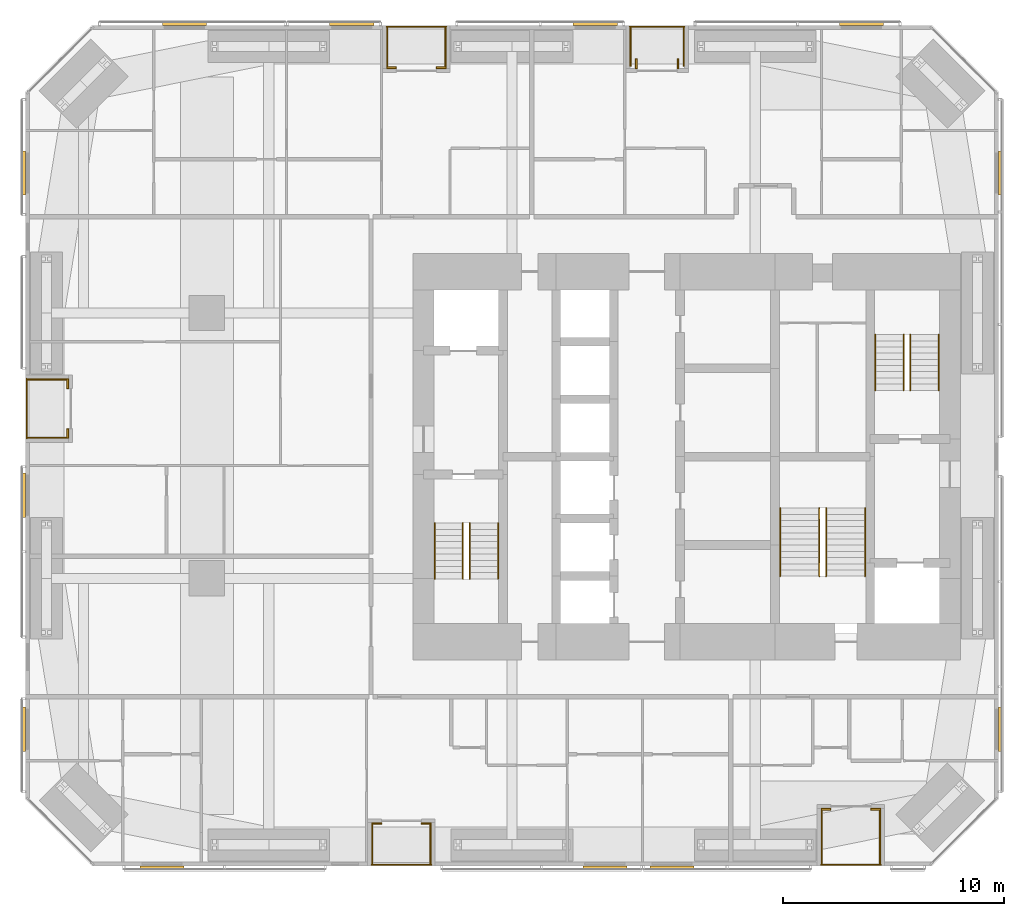
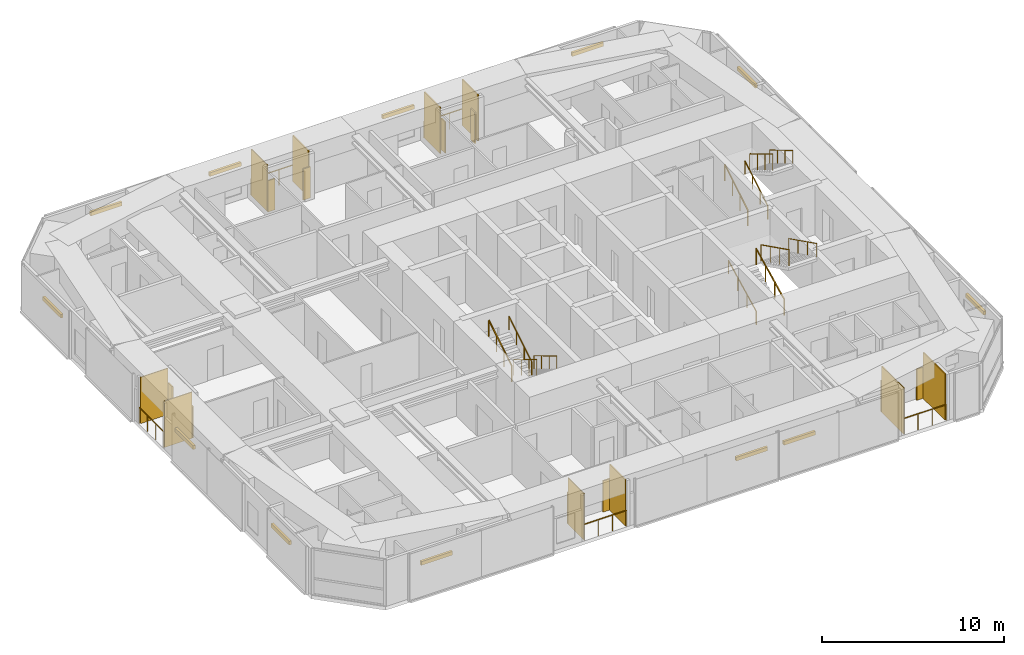
# One storey, part 22 of 22: 32 shading devices, 17 railings.
"""IFC4 building model written with IfcOpenShell, lengths in metres."""

from ifc_helpers import new_model, si_unit, direction, frame, origin, origin_2d, place, context, subcontext, project, spatial, rectangle, circle, extrude, material, layer, layer_set, constituent, constituent_set, type_object, element, save


model = new_model("IFC4")

# Units and contexts
model_context = context("Model", 3, precision=1e-05, world=origin(), true_north=direction((0.0, 1.0)))
body_context = subcontext(model_context, "Body", "Model", "MODEL_VIEW")
ifc_project = project(units=[si_unit("LENGTHUNIT", "METRE"), si_unit("AREAUNIT", "SQUARE_METRE"), si_unit("VOLUMEUNIT", "CUBIC_METRE"), si_unit("PLANEANGLEUNIT", "RADIAN"), si_unit("MASSUNIT", "GRAM", prefix="KILO")], contexts=[model_context])

# Site, building, storey
site_placement = place(None, origin())
site = spatial("IfcSite", under=ifc_project, at=site_placement, CompositionType="ELEMENT")
building_placement = place(site_placement, origin())
building = spatial("IfcBuilding", under=site, at=building_placement, Name="Jalousie Tower", CompositionType="ELEMENT")
storey_placement = place(building_placement, frame((0.0, 0.0, 64.550048828125)))
storey = spatial("IfcBuildingStorey", under=building, at=storey_placement, Name="L17", CompositionType="ELEMENT", Elevation=64.550048828125)

# Shading devices
ifc_material_1 = material(Name="Aluminium impact-rated louvred storm shutter", Category="aluminium")
shading_device_type_1 = type_object("IfcShadingDeviceType", Name="BI-FOLD STORM SHUTTER 900x2100", PredefinedType="SHUTTER", material=ifc_material_1)
for number, where, z_axis, x_axis, name in (
    (1, (17.875, 1.909912109375, 0.0), (0.0, 0.0, 1.0), (1.0, 0.0, 0.0), "Loggia storm shutter L17"),
    (2, (20.125, 1.909912109375, 0.0), (0.0, 0.0, 1.0), (1.0, 0.0, 0.0), "Loggia storm shutter L17"),
    (3, (38.199951171875, 2.56005859375, 0.0), (0.0, 0.0, 1.0), (1.0, 0.0, 0.0), "Loggia storm shutter L17"),
    (4, (40.449951171875, 2.56005859375, 0.0), (0.0, 0.0, 1.0), (1.0, 0.0, 0.0), "Loggia storm shutter L17"),
    (5, (31.50244140625, 36.27490234375, 0.0), (0.0, 0.0, 1.0), (0.0, -1.0, 0.0), "Loggia storm shutter L17"),
    (6, (29.62255859375, 36.27490234375, 0.0), (0.0, 0.0, 1.0), (0.0, -1.0, 0.0), "Loggia storm shutter L17"),
    (7, (20.800048828125, 36.090087890625, 0.0), (0.0, 0.0, 1.0), (-1.0, 0.0, 0.0), "Loggia storm shutter L17"),
    (8, (18.550048828125, 36.090087890625, 0.0), (0.0, 0.0, 1.0), (-1.0, 0.0, 0.0), "Loggia storm shutter L17"),
    (9, (3.909912109375, 21.800048828125, 0.0), (0.0, 0.0, 1.0), (0.0, -1.0, 0.0), "Loggia storm shutter L17"),
    (10, (3.909912109375, 19.550048828125, 0.0), (0.0, 0.0, 1.0), (0.0, -1.0, 0.0), "Loggia storm shutter L17"),
):
    element("IfcShadingDevice", number, at=place(storey_placement, frame(where, z_axis=z_axis, x_axis=x_axis)), inside=storey, type_object=shading_device_type_1, Name=name, PredefinedType="SHUTTER", context=body_context, shape_type="SweptSolid", body=[
        extrude(rectangle(XDim=0.449951171875, YDim=0.080078125, at=origin_2d()), origin(), (0.0, 0.0, 1.0), 2.10009765625),
    ])

# Railings
ifc_material_2 = material(Name="Powder-coated aluminium fretwork", Category="aluminium")
railing_type_1 = type_object("IfcRailingType", Name="FRETWORK BALUSTRADE 1100", PredefinedType="BALUSTRADE", material=ifc_material_2)
railing_1_placement = place(storey_placement, frame((17.64990234375, 0.050048828125, 0.0)))
element("IfcRailing", 11, at=railing_1_placement, inside=storey, type_object=railing_type_1, Name="Loggia fretwork balustrade L17", PredefinedType="BALUSTRADE", context=body_context, shape_type="SweptSolid", body=[
    extrude(rectangle(XDim=0.048095703125, YDim=0.048095703125, at=origin_2d()), frame((0.0, 0.0, 1.076171875), z_axis=(1.0, 0.0, 0.0), x_axis=(0.0, 1.0, 0.0)), (0.0, 0.0, 1.0), 2.7001953125),
    extrude(circle(Radius=0.02099609375, at=origin_2d()), origin(), (0.0, 0.0, 1.0), 1.052001953125),
    extrude(circle(Radius=0.02099609375, at=origin_2d()), frame((0.900146484375, 0.0, 0.0)), (0.0, 0.0, 1.0), 1.052001953125),
    extrude(circle(Radius=0.02099609375, at=origin_2d()), frame((1.800048828125, 0.0, 0.0)), (0.0, 0.0, 1.0), 1.052001953125),
    extrude(circle(Radius=0.02099609375, at=origin_2d()), frame((2.7001953125, 0.0, 0.0)), (0.0, 0.0, 1.0), 1.052001953125),
])
railing_2_placement = place(storey_placement, frame((37.97509765625, 0.050048828125, 0.0)))
element("IfcRailing", 12, at=railing_2_placement, inside=storey, type_object=railing_type_1, Name="Loggia fretwork balustrade L17", PredefinedType="BALUSTRADE", context=body_context, shape_type="SweptSolid", body=[
    extrude(rectangle(XDim=0.048095703125, YDim=0.048095703125, at=origin_2d()), frame((0.0, 0.0, 1.076171875), z_axis=(1.0, 0.0, 0.0), x_axis=(0.0, 1.0, 0.0)), (0.0, 0.0, 1.0), 2.699951171875),
    extrude(circle(Radius=0.02099609375, at=origin_2d()), origin(), (0.0, 0.0, 1.0), 1.052001953125),
    extrude(circle(Radius=0.02099609375, at=origin_2d()), frame((0.89990234375, 0.0, 0.0)), (0.0, 0.0, 1.0), 1.052001953125),
    extrude(circle(Radius=0.02099609375, at=origin_2d()), frame((1.800048828125, 0.0, 0.0)), (0.0, 0.0, 1.0), 1.052001953125),
    extrude(circle(Radius=0.02099609375, at=origin_2d()), frame((2.699951171875, 0.0, 0.0)), (0.0, 0.0, 1.0), 1.052001953125),
])
railing_3_placement = place(storey_placement, frame((31.800048828125, 37.949951171875, 0.0)))
element("IfcRailing", 13, at=railing_3_placement, inside=storey, type_object=railing_type_1, Name="Loggia fretwork balustrade L17", PredefinedType="BALUSTRADE", context=body_context, shape_type="SweptSolid", body=[
    extrude(rectangle(XDim=0.048095703125, YDim=0.048095703125, at=origin_2d()), frame((0.0, 0.0, 1.076171875), z_axis=(-1.0, 0.0, 0.0), x_axis=(0.0, -1.0, 0.0)), (0.0, 0.0, 1.0), 2.47509765625),
    extrude(circle(Radius=0.02099609375, at=origin_2d()), origin(), (0.0, 0.0, 1.0), 1.052001953125),
    extrude(circle(Radius=0.02099609375, at=origin_2d()), frame((-0.824951171875, 0.0, 0.0)), (0.0, 0.0, 1.0), 1.052001953125),
    extrude(circle(Radius=0.02099609375, at=origin_2d()), frame((-1.650146484375, 0.0, 0.0)), (0.0, 0.0, 1.0), 1.052001953125),
    extrude(circle(Radius=0.02099609375, at=origin_2d()), frame((-2.47509765625, 0.0, 0.0)), (0.0, 0.0, 1.0), 1.052001953125),
])
railing_4_placement = place(storey_placement, frame((21.02490234375, 37.949951171875, 0.0)))
element("IfcRailing", 14, at=railing_4_placement, inside=storey, type_object=railing_type_1, Name="Loggia fretwork balustrade L17", PredefinedType="BALUSTRADE", context=body_context, shape_type="SweptSolid", body=[
    extrude(rectangle(XDim=0.048095703125, YDim=0.048095703125, at=origin_2d()), frame((0.0, 0.0, 1.076171875), z_axis=(-1.0, 0.0, 0.0), x_axis=(0.0, -1.0, 0.0)), (0.0, 0.0, 1.0), 2.699951171875),
    extrude(circle(Radius=0.02099609375, at=origin_2d()), origin(), (0.0, 0.0, 1.0), 1.052001953125),
    extrude(circle(Radius=0.02099609375, at=origin_2d()), frame((-0.89990234375, 0.0, 0.0)), (0.0, 0.0, 1.0), 1.052001953125),
    extrude(circle(Radius=0.02099609375, at=origin_2d()), frame((-1.800048828125, 0.0, 0.0)), (0.0, 0.0, 1.0), 1.052001953125),
    extrude(circle(Radius=0.02099609375, at=origin_2d()), frame((-2.699951171875, 0.0, 0.0)), (0.0, 0.0, 1.0), 1.052001953125),
])
railing_5_placement = place(storey_placement, frame((2.050048828125, 22.02490234375, 0.0)))
element("IfcRailing", 15, at=railing_5_placement, inside=storey, type_object=railing_type_1, Name="Loggia fretwork balustrade L17", PredefinedType="BALUSTRADE", context=body_context, shape_type="SweptSolid", body=[
    extrude(rectangle(XDim=0.048095703125, YDim=0.048095703125, at=origin_2d()), frame((0.0, 0.0, 1.076171875), z_axis=(0.0, -1.0, 0.0), x_axis=(1.0, 0.0, 0.0)), (0.0, 0.0, 1.0), 2.699951171875),
    extrude(circle(Radius=0.02099609375, at=origin_2d()), origin(), (0.0, 0.0, 1.0), 1.052001953125),
    extrude(circle(Radius=0.02099609375, at=origin_2d()), frame((0.0, -0.89990234375, 0.0)), (0.0, 0.0, 1.0), 1.052001953125),
    extrude(circle(Radius=0.02099609375, at=origin_2d()), frame((0.0, -1.800048828125, 0.0)), (0.0, 0.0, 1.0), 1.052001953125),
    extrude(circle(Radius=0.02099609375, at=origin_2d()), frame((0.0, -2.699951171875, 0.0)), (0.0, 0.0, 1.0), 1.052001953125),
])

# Shading devices
ifc_material_3 = material(Name="Powder-coated aluminium louvres", Category="aluminium")
ifc_layer = layer(ifc_material_3, 0.06005859375)
ifc_layer_set = layer_set([ifc_layer], Name="Powder-coated aluminium louvres")
shading_device_type_2 = type_object("IfcShadingDeviceType", Name="JALOUSIE LOUVRE SCREEN", PredefinedType="JALOUSIE", material=ifc_layer_set)
for number, where, z_axis, x_axis, name in (
    (16, (17.679931640625, 0.97509765625, 0.0), (0.0, 0.0, 1.0), (1.0, 0.0, 0.0), "Loggia jalousie louvre screen L17"),
    (17, (20.320068359375, 0.97509765625, 0.0), (0.0, 0.0, 1.0), (1.0, 0.0, 0.0), "Loggia jalousie louvre screen L17"),
):
    element("IfcShadingDevice", number, at=place(storey_placement, frame(where, z_axis=z_axis, x_axis=x_axis)), inside=storey, type_object=shading_device_type_2, Name=name, PredefinedType="JALOUSIE", context=body_context, shape_type="SweptSolid", body=[
        extrude(rectangle(XDim=0.06005859375, YDim=1.75, at=origin_2d()), origin(), (0.0, 0.0, 1.0), 3.110107421875),
    ])
for number, where, z_axis, x_axis, name in (
    (18, (38.0048828125, 1.300048828125, 0.0), (0.0, 0.0, 1.0), (1.0, 0.0, 0.0), "Loggia jalousie louvre screen L17"),
    (19, (40.64501953125, 1.300048828125, 0.0), (0.0, 0.0, 1.0), (1.0, 0.0, 0.0), "Loggia jalousie louvre screen L17"),
):
    element("IfcShadingDevice", number, at=place(storey_placement, frame(where, z_axis=z_axis, x_axis=x_axis)), inside=storey, type_object=shading_device_type_2, Name=name, PredefinedType="JALOUSIE", context=body_context, shape_type="SweptSolid", body=[
        extrude(rectangle(XDim=0.06005859375, YDim=2.39990234375, at=origin_2d()), origin(), (0.0, 0.0, 1.0), 3.110107421875),
    ])
for number, where, z_axis, x_axis, name in (
    (20, (31.77001953125, 37.02490234375, 0.0), (0.0, 0.0, 1.0), (-1.0, 0.0, 0.0), "Loggia jalousie louvre screen L17"),
    (21, (29.35498046875, 37.02490234375, 0.0), (0.0, 0.0, 1.0), (-1.0, 0.0, 0.0), "Loggia jalousie louvre screen L17"),
    (22, (20.9951171875, 37.02490234375, 0.0), (0.0, 0.0, 1.0), (-1.0, 0.0, 0.0), "Loggia jalousie louvre screen L17"),
    (23, (18.35498046875, 37.02490234375, 0.0), (0.0, 0.0, 1.0), (-1.0, 0.0, 0.0), "Loggia jalousie louvre screen L17"),
    (24, (2.97509765625, 21.9951171875, 0.0), (0.0, 0.0, 1.0), (0.0, -1.0, 0.0), "Loggia jalousie louvre screen L17"),
    (25, (2.97509765625, 19.35498046875, 0.0), (0.0, 0.0, 1.0), (0.0, -1.0, 0.0), "Loggia jalousie louvre screen L17"),
):
    element("IfcShadingDevice", number, at=place(storey_placement, frame(where, z_axis=z_axis, x_axis=x_axis)), inside=storey, type_object=shading_device_type_2, Name=name, PredefinedType="JALOUSIE", context=body_context, shape_type="SweptSolid", body=[
        extrude(rectangle(XDim=0.06005859375, YDim=1.75, at=origin_2d()), origin(), (0.0, 0.0, 1.0), 3.110107421875),
    ])

# Railings
ifc_material_4 = material(Name="Steel ASTM A500 Grade C", Category="steel")
ifc_constituent_1 = constituent(ifc_material_4, Name="Body")
ifc_material_5 = material(Name="Hot-dip galvanised zinc coating")
ifc_constituent_2 = constituent(ifc_material_5, Name="Finish")
ifc_constituent_set_1 = constituent_set(constituents=[ifc_constituent_1, ifc_constituent_2])
railing_type_2 = type_object("IfcRailingType", Name="STAIR GUARD 1100", PredefinedType="GUARDRAIL", material=ifc_constituent_set_1)
railing_6_placement = place(storey_placement, frame((22.092529296875, 15.49755859375, 0.16748046875)))
element("IfcRailing", 26, at=railing_6_placement, inside=storey, type_object=railing_type_2, Name="Exit stair A guard L17 flight 1", PredefinedType="GUARDRAIL", context=body_context, shape_type="SweptSolid", body=[
    extrude(rectangle(XDim=0.048095703125, YDim=0.048095703125, at=origin_2d()), frame((0.0, 0.0, 1.076171875), z_axis=(0.0, -0.858159760407, 0.513382728203), x_axis=(1.0, 0.0, 0.0)), (0.0, 0.0, 1.0), 2.9365234375),
    extrude(circle(Radius=0.02099609375, at=origin_2d()), origin(), (0.0, 0.0, 1.0), 1.052001953125),
    extrude(circle(Radius=0.02099609375, at=origin_2d()), frame((0.0, -0.840087890625, 0.50244140625)), (0.0, 0.0, 1.0), 1.052001953125),
    extrude(circle(Radius=0.02099609375, at=origin_2d()), frame((0.0, -1.679931640625, 1.005126953125)), (0.0, 0.0, 1.0), 1.052001953125),
    extrude(circle(Radius=0.02099609375, at=origin_2d()), frame((0.0, -2.52001953125, 1.507568359375)), (0.0, 0.0, 1.0), 1.052001953125),
])
railing_7_placement = place(storey_placement, frame((20.5048828125, 12.9775390625, 1.842529296875)))
element("IfcRailing", 27, at=railing_7_placement, inside=storey, type_object=railing_type_2, Name="Exit stair A guard L17 flight 2", PredefinedType="GUARDRAIL", context=body_context, shape_type="SweptSolid", body=[
    extrude(rectangle(XDim=0.048095703125, YDim=0.048095703125, at=origin_2d()), frame((0.0, 0.0, 1.076171875), z_axis=(0.0, 0.858196387827, 0.513321497621), x_axis=(-1.0, 0.0, 0.0)), (0.0, 0.0, 1.0), 2.9365234375),
    extrude(circle(Radius=0.02099609375, at=origin_2d()), origin(), (0.0, 0.0, 1.0), 1.052001953125),
    extrude(circle(Radius=0.02099609375, at=origin_2d()), frame((0.0, 0.840087890625, 0.50244140625)), (0.0, 0.0, 1.0), 1.052001953125),
    extrude(circle(Radius=0.02099609375, at=origin_2d()), frame((0.0, 1.679931640625, 1.0048828125)), (0.0, 0.0, 1.0), 1.052001953125),
    extrude(circle(Radius=0.02099609375, at=origin_2d()), frame((0.0, 2.52001953125, 1.50732421875)), (0.0, 0.0, 1.0), 1.052001953125),
])
railing_8_placement = place(storey_placement, frame((40.43017578125, 21.50244140625, 0.16748046875)))
element("IfcRailing", 28, at=railing_8_placement, inside=storey, type_object=railing_type_2, Name="Exit stair B guard L17 flight 1", PredefinedType="GUARDRAIL", context=body_context, shape_type="SweptSolid", body=[
    extrude(rectangle(XDim=0.048095703125, YDim=0.048095703125, at=origin_2d()), frame((0.0, 0.0, 1.076171875), z_axis=(0.0, 0.858159760407, 0.513382728203), x_axis=(-1.0, 0.0, 0.0)), (0.0, 0.0, 1.0), 2.9365234375),
    extrude(circle(Radius=0.02099609375, at=origin_2d()), origin(), (0.0, 0.0, 1.0), 1.052001953125),
    extrude(circle(Radius=0.02099609375, at=origin_2d()), frame((0.0, 0.840087890625, 0.50244140625)), (0.0, 0.0, 1.0), 1.052001953125),
    extrude(circle(Radius=0.02099609375, at=origin_2d()), frame((0.0, 1.679931640625, 1.005126953125)), (0.0, 0.0, 1.0), 1.052001953125),
    extrude(circle(Radius=0.02099609375, at=origin_2d()), frame((0.0, 2.52001953125, 1.507568359375)), (0.0, 0.0, 1.0), 1.052001953125),
])
railing_9_placement = place(storey_placement, frame((42.017578125, 24.0224609375, 1.842529296875)))
element("IfcRailing", 29, at=railing_9_placement, inside=storey, type_object=railing_type_2, Name="Exit stair B guard L17 flight 2", PredefinedType="GUARDRAIL", context=body_context, shape_type="SweptSolid", body=[
    extrude(rectangle(XDim=0.048095703125, YDim=0.048095703125, at=origin_2d()), frame((0.0, 0.0, 1.076171875), z_axis=(0.0, -0.858196387827, 0.513321497621), x_axis=(1.0, 0.0, 0.0)), (0.0, 0.0, 1.0), 2.9365234375),
    extrude(circle(Radius=0.02099609375, at=origin_2d()), origin(), (0.0, 0.0, 1.0), 1.052001953125),
    extrude(circle(Radius=0.02099609375, at=origin_2d()), frame((0.0, -0.840087890625, 0.50244140625)), (0.0, 0.0, 1.0), 1.052001953125),
    extrude(circle(Radius=0.02099609375, at=origin_2d()), frame((0.0, -1.679931640625, 1.0048828125)), (0.0, 0.0, 1.0), 1.052001953125),
    extrude(circle(Radius=0.02099609375, at=origin_2d()), frame((0.0, -2.52001953125, 1.50732421875)), (0.0, 0.0, 1.0), 1.052001953125),
])
railing_10_placement = place(storey_placement, frame((37.89501953125, 13.097412109375, 0.1396484375)))
element("IfcRailing", 30, at=railing_10_placement, inside=storey, type_object=railing_type_2, Name="Exit stair C guard L17 flight 1", PredefinedType="GUARDRAIL", context=body_context, shape_type="SweptSolid", body=[
    extrude(rectangle(XDim=0.048095703125, YDim=0.048095703125, at=origin_2d()), frame((0.0, 0.0, 1.076171875), z_axis=(0.0, 0.894965676997, 0.446134998624), x_axis=(-1.0, 0.0, 0.0)), (0.0, 0.0, 1.0), 3.441650390625),
    extrude(circle(Radius=0.02099609375, at=origin_2d()), origin(), (0.0, 0.0, 1.0), 1.052001953125),
    extrude(circle(Radius=0.02099609375, at=origin_2d()), frame((0.0, 1.026611328125, 0.51171875)), (0.0, 0.0, 1.0), 1.052001953125),
    extrude(circle(Radius=0.02099609375, at=origin_2d()), frame((0.0, 2.053466796875, 1.023681640625)), (0.0, 0.0, 1.0), 1.052001953125),
    extrude(circle(Radius=0.02099609375, at=origin_2d()), frame((0.0, 3.080078125, 1.535400390625)), (0.0, 0.0, 1.0), 1.052001953125),
])
railing_11_placement = place(storey_placement, frame((38.205078125, 16.177490234375, 1.814453125)))
element("IfcRailing", 31, at=railing_11_placement, inside=storey, type_object=railing_type_2, Name="Exit stair C guard L17 flight 2", PredefinedType="GUARDRAIL", context=body_context, shape_type="SweptSolid", body=[
    extrude(rectangle(XDim=0.048095703125, YDim=0.048095703125, at=origin_2d()), frame((0.0, 0.0, 1.076171875), z_axis=(0.0, -0.894965676997, 0.446134998624), x_axis=(1.0, 0.0, 0.0)), (0.0, 0.0, 1.0), 3.441650390625),
    extrude(circle(Radius=0.02099609375, at=origin_2d()), origin(), (0.0, 0.0, 1.0), 1.052001953125),
    extrude(circle(Radius=0.02099609375, at=origin_2d()), frame((0.0, -1.026611328125, 0.51171875)), (0.0, 0.0, 1.0), 1.052001953125),
    extrude(circle(Radius=0.02099609375, at=origin_2d()), frame((0.0, -2.053466796875, 1.023681640625)), (0.0, 0.0, 1.0), 1.052001953125),
    extrude(circle(Radius=0.02099609375, at=origin_2d()), frame((0.0, -3.080078125, 1.535400390625)), (0.0, 0.0, 1.0), 1.052001953125),
])
ifc_material_6 = material(Name="Steel ASTM A500 Grade C", Category="steel")
ifc_constituent_3 = constituent(ifc_material_6, Name="Body")
ifc_material_7 = material(Name="Hot-dip galvanised zinc coating")
ifc_constituent_4 = constituent(ifc_material_7, Name="Finish")
ifc_constituent_set_2 = constituent_set(constituents=[ifc_constituent_3, ifc_constituent_4])
railing_type_3 = type_object("IfcRailingType", Name="STAIR HANDRAIL 900", PredefinedType="HANDRAIL", material=ifc_constituent_set_2)
railing_12_placement = place(storey_placement, frame((23.3701171875, 15.49755859375, 0.16748046875)))
element("IfcRailing", 32, at=railing_12_placement, inside=storey, type_object=railing_type_3, Name="Exit stair A handrail L17 flight 1", PredefinedType="HANDRAIL", context=body_context, shape_type="SweptSolid", body=[
    extrude(circle(Radius=0.02392578125, at=origin_2d()), frame((0.0, 0.0, 0.8759765625), z_axis=(0.0, -0.858159760407, 0.513382728203), x_axis=(1.0, 0.0, 0.0)), (0.0, 0.0, 1.0), 2.9365234375),
    extrude(circle(Radius=0.02099609375, at=origin_2d()), origin(), (0.0, 0.0, 1.0), 0.851806640625),
    extrude(circle(Radius=0.02099609375, at=origin_2d()), frame((0.0, -0.840087890625, 0.50244140625)), (0.0, 0.0, 1.0), 0.851806640625),
    extrude(circle(Radius=0.02099609375, at=origin_2d()), frame((0.0, -1.679931640625, 1.005126953125)), (0.0, 0.0, 1.0), 0.851806640625),
    extrude(circle(Radius=0.02099609375, at=origin_2d()), frame((0.0, -2.52001953125, 1.507568359375)), (0.0, 0.0, 1.0), 0.851806640625),
])
railing_13_placement = place(storey_placement, frame((21.78271484375, 12.9775390625, 1.842529296875)))
element("IfcRailing", 33, at=railing_13_placement, inside=storey, type_object=railing_type_3, Name="Exit stair A handrail L17 flight 2", PredefinedType="HANDRAIL", context=body_context, shape_type="SweptSolid", body=[
    extrude(circle(Radius=0.02392578125, at=origin_2d()), frame((0.0, 0.0, 0.8759765625), z_axis=(0.0, 0.858196387827, 0.513321497621), x_axis=(-1.0, 0.0, 0.0)), (0.0, 0.0, 1.0), 2.9365234375),
    extrude(circle(Radius=0.02099609375, at=origin_2d()), origin(), (0.0, 0.0, 1.0), 0.851806640625),
    extrude(circle(Radius=0.02099609375, at=origin_2d()), frame((0.0, 0.840087890625, 0.50244140625)), (0.0, 0.0, 1.0), 0.851806640625),
    extrude(circle(Radius=0.02099609375, at=origin_2d()), frame((0.0, 1.679931640625, 1.0048828125)), (0.0, 0.0, 1.0), 0.851806640625),
    extrude(circle(Radius=0.02099609375, at=origin_2d()), frame((0.0, 2.52001953125, 1.50732421875)), (0.0, 0.0, 1.0), 0.851806640625),
])
railing_14_placement = place(storey_placement, frame((41.70751953125, 21.50244140625, 0.16748046875)))
element("IfcRailing", 34, at=railing_14_placement, inside=storey, type_object=railing_type_3, Name="Exit stair B handrail L17 flight 1", PredefinedType="HANDRAIL", context=body_context, shape_type="SweptSolid", body=[
    extrude(circle(Radius=0.02392578125, at=origin_2d()), frame((0.0, 0.0, 0.8759765625), z_axis=(0.0, 0.858159760407, 0.513382728203), x_axis=(-1.0, 0.0, 0.0)), (0.0, 0.0, 1.0), 2.9365234375),
    extrude(circle(Radius=0.02099609375, at=origin_2d()), origin(), (0.0, 0.0, 1.0), 0.851806640625),
    extrude(circle(Radius=0.02099609375, at=origin_2d()), frame((0.0, 0.840087890625, 0.50244140625)), (0.0, 0.0, 1.0), 0.851806640625),
    extrude(circle(Radius=0.02099609375, at=origin_2d()), frame((0.0, 1.679931640625, 1.005126953125)), (0.0, 0.0, 1.0), 0.851806640625),
    extrude(circle(Radius=0.02099609375, at=origin_2d()), frame((0.0, 2.52001953125, 1.507568359375)), (0.0, 0.0, 1.0), 0.851806640625),
])
railing_15_placement = place(storey_placement, frame((43.294921875, 24.0224609375, 1.842529296875)))
element("IfcRailing", 35, at=railing_15_placement, inside=storey, type_object=railing_type_3, Name="Exit stair B handrail L17 flight 2", PredefinedType="HANDRAIL", context=body_context, shape_type="SweptSolid", body=[
    extrude(circle(Radius=0.02392578125, at=origin_2d()), frame((0.0, 0.0, 0.8759765625), z_axis=(0.0, -0.858196387827, 0.513321497621), x_axis=(1.0, 0.0, 0.0)), (0.0, 0.0, 1.0), 2.9365234375),
    extrude(circle(Radius=0.02099609375, at=origin_2d()), origin(), (0.0, 0.0, 1.0), 0.851806640625),
    extrude(circle(Radius=0.02099609375, at=origin_2d()), frame((0.0, -0.840087890625, 0.50244140625)), (0.0, 0.0, 1.0), 0.851806640625),
    extrude(circle(Radius=0.02099609375, at=origin_2d()), frame((0.0, -1.679931640625, 1.0048828125)), (0.0, 0.0, 1.0), 0.851806640625),
    extrude(circle(Radius=0.02099609375, at=origin_2d()), frame((0.0, -2.52001953125, 1.50732421875)), (0.0, 0.0, 1.0), 0.851806640625),
])
railing_16_placement = place(storey_placement, frame((36.1298828125, 13.097412109375, 0.1396484375)))
element("IfcRailing", 36, at=railing_16_placement, inside=storey, type_object=railing_type_3, Name="Exit stair C handrail L17 flight 1", PredefinedType="HANDRAIL", context=body_context, shape_type="SweptSolid", body=[
    extrude(circle(Radius=0.02392578125, at=origin_2d()), frame((0.0, 0.0, 0.8759765625), z_axis=(0.0, 0.894965676997, 0.446134998624), x_axis=(-1.0, 0.0, 0.0)), (0.0, 0.0, 1.0), 3.441650390625),
    extrude(circle(Radius=0.02099609375, at=origin_2d()), origin(), (0.0, 0.0, 1.0), 0.851806640625),
    extrude(circle(Radius=0.02099609375, at=origin_2d()), frame((0.0, 1.026611328125, 0.51171875)), (0.0, 0.0, 1.0), 0.851806640625),
    extrude(circle(Radius=0.02099609375, at=origin_2d()), frame((0.0, 2.053466796875, 1.023681640625)), (0.0, 0.0, 1.0), 0.851806640625),
    extrude(circle(Radius=0.02099609375, at=origin_2d()), frame((0.0, 3.080078125, 1.535400390625)), (0.0, 0.0, 1.0), 0.851806640625),
])
railing_17_placement = place(storey_placement, frame((39.969970703125, 16.177490234375, 1.814453125)))
element("IfcRailing", 37, at=railing_17_placement, inside=storey, type_object=railing_type_3, Name="Exit stair C handrail L17 flight 2", PredefinedType="HANDRAIL", context=body_context, shape_type="SweptSolid", body=[
    extrude(circle(Radius=0.02392578125, at=origin_2d()), frame((0.0, 0.0, 0.8759765625), z_axis=(0.0, -0.894965676997, 0.446134998624), x_axis=(1.0, 0.0, 0.0)), (0.0, 0.0, 1.0), 3.441650390625),
    extrude(circle(Radius=0.02099609375, at=origin_2d()), origin(), (0.0, 0.0, 1.0), 0.851806640625),
    extrude(circle(Radius=0.02099609375, at=origin_2d()), frame((0.0, -1.026611328125, 0.51171875)), (0.0, 0.0, 1.0), 0.851806640625),
    extrude(circle(Radius=0.02099609375, at=origin_2d()), frame((0.0, -2.053466796875, 1.023681640625)), (0.0, 0.0, 1.0), 0.851806640625),
    extrude(circle(Radius=0.02099609375, at=origin_2d()), frame((0.0, -3.080078125, 1.535400390625)), (0.0, 0.0, 1.0), 0.851806640625),
])

# Shading devices
ifc_material_8 = material(Name="Aluminium roller storm shutter", Category="aluminium")
shading_device_type_3 = type_object("IfcShadingDeviceType", Name="STORM SHUTTER HOUSING", PredefinedType="SHUTTER", material=ifc_material_8)
for number, where, z_axis, x_axis, name in (
    (38, (8.175048828125, -0.074951171875, 2.099853515625), (0.0, 0.0, 1.0), (1.0, 0.0, 0.0), "Storm shutter L17"),
    (39, (28.199951171875, -0.074951171875, 2.099853515625), (0.0, 0.0, 1.0), (1.0, 0.0, 0.0), "Storm shutter L17"),
    (40, (31.235107421875, -0.074951171875, 2.099853515625), (0.0, 0.0, 1.0), (1.0, 0.0, 0.0), "Storm shutter L17"),
    (41, (46.074951171875, 6.17333984375, 2.099853515625), (0.0, 0.0, 1.0), (0.0, 1.0, 0.0), "Storm shutter L17"),
    (42, (46.074951171875, 31.32666015625, 2.099853515625), (0.0, 0.0, 1.0), (0.0, 1.0, 0.0), "Storm shutter L17"),
    (43, (39.800048828125, 38.074951171875, 2.099853515625), (0.0, 0.0, 1.0), (-1.0, 0.0, 0.0), "Storm shutter L17"),
    (44, (27.760009765625, 38.074951171875, 2.099853515625), (0.0, 0.0, 1.0), (-1.0, 0.0, 0.0), "Storm shutter L17"),
    (45, (16.757568359375, 38.074951171875, 2.099853515625), (0.0, 0.0, 1.0), (-1.0, 0.0, 0.0), "Storm shutter L17"),
    (46, (9.18505859375, 38.074951171875, 2.099853515625), (0.0, 0.0, 1.0), (-1.0, 0.0, 0.0), "Storm shutter L17"),
    (47, (1.925048828125, 31.32666015625, 2.099853515625), (0.0, 0.0, 1.0), (0.0, -1.0, 0.0), "Storm shutter L17"),
    (48, (1.925048828125, 16.762451171875, 2.099853515625), (0.0, 0.0, 1.0), (0.0, -1.0, 0.0), "Storm shutter L17"),
    (49, (1.925048828125, 6.17333984375, 2.099853515625), (0.0, 0.0, 1.0), (0.0, -1.0, 0.0), "Storm shutter L17"),
):
    element("IfcShadingDevice", number, at=place(storey_placement, frame(where, z_axis=z_axis, x_axis=x_axis)), inside=storey, type_object=shading_device_type_3, Name=name, PredefinedType="SHUTTER", context=body_context, shape_type="SweptSolid", body=[
        extrude(rectangle(XDim=2.0, YDim=0.14990234375, at=origin_2d()), origin(), (0.0, 0.0, 1.0), 0.25),
    ])

save(model, "model.ifc")
